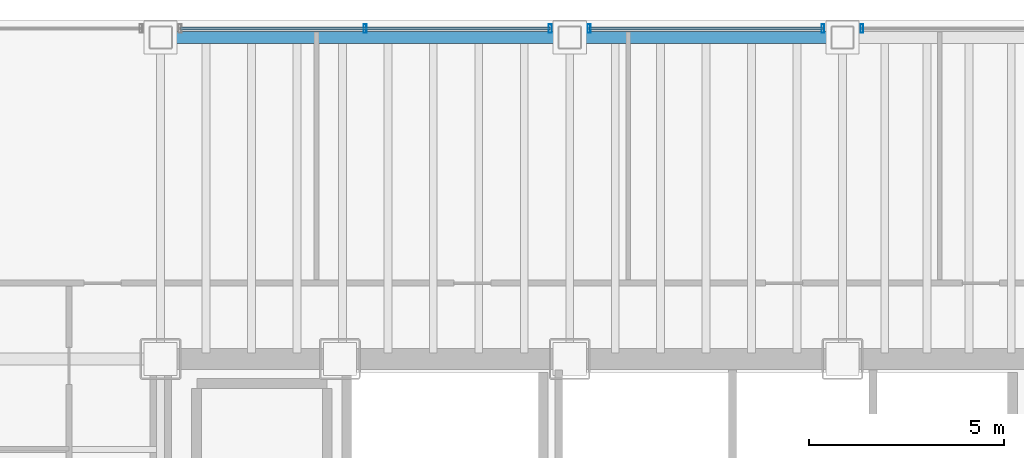
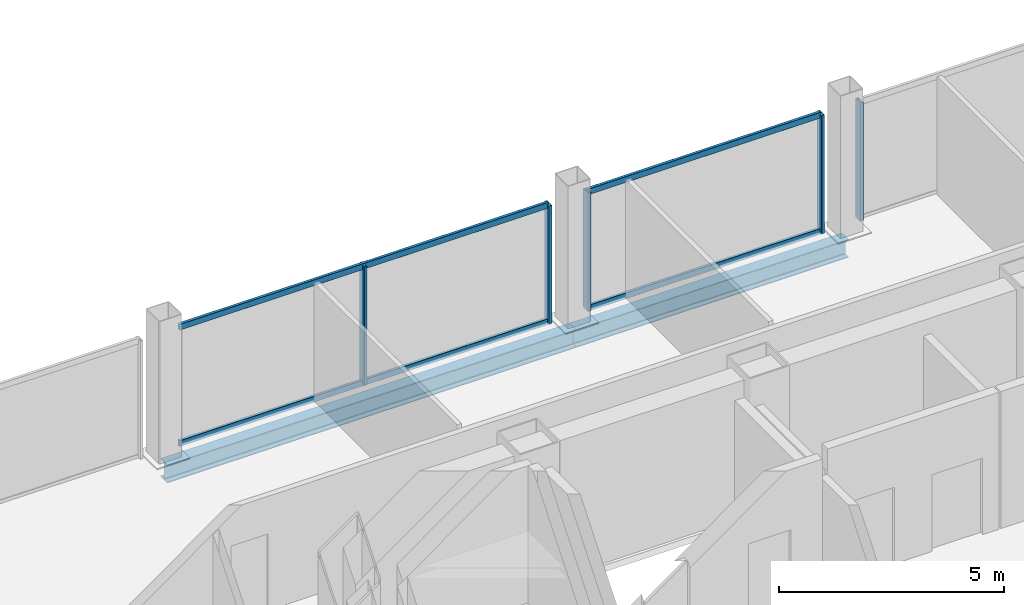
# One storey, part 15 of 21: 9 members, 2 beams, 3 elements without a shape of their own.
"""IFC4 building model written with IfcOpenShell, lengths in metres."""

from ifc_helpers import new_model, si_unit, direction, frame, origin, origin_2d, place, context, subcontext, project, spatial, hollow_rectangle, i_section, extrude, material, material_profile, profile_set, type_object, element, aggregate, save


model = new_model("IFC4")

# Units and contexts
model_context = context("Model", 3, precision=1e-05, world=origin(), true_north=direction((0.0, 1.0)))
body_context = subcontext(model_context, "Body", "Model", "MODEL_VIEW")
ifc_project = project(units=[si_unit("LENGTHUNIT", "METRE"), si_unit("AREAUNIT", "SQUARE_METRE"), si_unit("VOLUMEUNIT", "CUBIC_METRE"), si_unit("PLANEANGLEUNIT", "RADIAN"), si_unit("MASSUNIT", "GRAM", prefix="KILO")], contexts=[model_context])

# Site, building, storey
site_placement = place(None, origin())
site = spatial("IfcSite", under=ifc_project, at=site_placement, CompositionType="ELEMENT")
building_placement = place(site_placement, origin())
building = spatial("IfcBuilding", under=site, at=building_placement, Name="Noeulbin Bourse Tower", CompositionType="ELEMENT")
storey_placement = place(building_placement, frame((0.0, 0.0, 30.39990234375)))
storey = spatial("IfcBuildingStorey", under=building, at=storey_placement, Name="L07", CompositionType="ELEMENT", Elevation=30.39990234375)

# Beams
ifc_material_1 = material(Name="Steel S355", Category="steel")
ifc_material_profile_1 = material_profile(ifc_material_1, i_section(OverallWidth=0.300048828125, OverallDepth=0.488037109375, WebThickness=0.010986328125, FlangeThickness=0.01806640625, FilletRadius=0.02197265625, at=origin_2d()), Name="H-488x300x11x18", Category="LoadBearing")
ifc_profile_set_1 = profile_set([ifc_material_profile_1], Name="Steel S355")
beam_type = type_object("IfcBeamType", Name="BM-SPN-488", PredefinedType="SPANDREL", material=ifc_profile_set_1)
beam_1_placement = place(storey_placement, frame((13.5, 46.550048828125, -0.423828125), z_axis=(1.0, 0.0, 0.0), x_axis=(0.0, 1.0, 0.0)))
element("IfcBeam", 1, at=beam_1_placement, inside=storey, type_object=beam_type, Name="North Spandrel L07-1", PredefinedType="SPANDREL", context=body_context, shape_type="SweptSolid", body=[
    extrude(i_section(OverallWidth=0.300048828125, OverallDepth=0.488037109375, WebThickness=0.010986328125, FlangeThickness=0.01806640625, FilletRadius=0.02197265625, at=origin_2d()), origin(), (0.0, 0.0, 1.0), 10.5),
])
beam_2_placement = place(storey_placement, frame((24.0, 46.550048828125, -0.423828125), z_axis=(1.0, 0.0, 0.0), x_axis=(0.0, 1.0, 0.0)))
element("IfcBeam", 2, at=beam_2_placement, inside=storey, type_object=beam_type, Name="North Spandrel L07-2", PredefinedType="SPANDREL", context=body_context, shape_type="SweptSolid", body=[
    extrude(i_section(OverallWidth=0.300048828125, OverallDepth=0.488037109375, WebThickness=0.010986328125, FlangeThickness=0.01806640625, FilletRadius=0.02197265625, at=origin_2d()), origin(), (0.0, 0.0, 1.0), 7.0),
])

# Curtain wall, members
ifc_material_2 = material(Name="Dark Solar-Control Double Glazing", Category="glass")
curtain_wall_type = type_object("IfcCurtainWallType", Name="CW-SYS-2", PredefinedType="NOTDEFINED", material=ifc_material_2)
curtain_wall_1_placement = place(storey_placement, origin())
curtain_wall_1 = element("IfcCurtainWall", 3, at=curtain_wall_1_placement, inside=storey, type_object=curtain_wall_type, Name="Unitised Curtain Wall CW-L07-N-S2", PredefinedType="NOTDEFINED")
ifc_material_3 = material(Name="Anodised Aluminium 6063-T6", Category="aluminium")
ifc_material_profile_2 = material_profile(ifc_material_3, hollow_rectangle(XDim=0.074951171875, YDim=0.219970703125, WallThickness=0.0048828125, InnerFilletRadius=0.00244140625, OuterFilletRadius=0.0048828125, at=origin_2d()), Name="ALU-MULL-75x220x5", Category="LoadBearing")
ifc_profile_set_2 = profile_set([ifc_material_profile_2], Name="Anodised Aluminium 6063-T6")
member_type_1 = type_object("IfcMemberType", Name="CW-SYS-2-MUL", PredefinedType="MULLION", material=ifc_profile_set_2)
member_1_placement = place(storey_placement, frame((18.75, 46.780029296875, -0.02001953125), z_axis=(0.0, 0.0, 1.0), x_axis=(1.0, 0.0, 0.0)))
member_1 = element("IfcMember", 4, at=member_1_placement, type_object=member_type_1, Name="Curtain Wall Mullion CW-L07-N-S2-M01", PredefinedType="MULLION", context=body_context, shape_type="SweptSolid", body=[
    extrude(hollow_rectangle(XDim=0.074951171875, YDim=0.219970703125, WallThickness=0.0048828125, InnerFilletRadius=0.00244140625, OuterFilletRadius=0.0048828125, at=origin_2d()), origin(), (0.0, 0.0, 1.0), 3.22021484375),
])
member_2_placement = place(storey_placement, frame((23.5, 46.780029296875, -0.02001953125), z_axis=(0.0, 0.0, 1.0), x_axis=(1.0, 0.0, 0.0)))
member_2 = element("IfcMember", 5, at=member_2_placement, type_object=member_type_1, Name="Curtain Wall Mullion CW-L07-N-S2-M02", PredefinedType="MULLION", context=body_context, shape_type="SweptSolid", body=[
    extrude(hollow_rectangle(XDim=0.074951171875, YDim=0.219970703125, WallThickness=0.0048828125, InnerFilletRadius=0.00244140625, OuterFilletRadius=0.0048828125, at=origin_2d()), origin(), (0.0, 0.0, 1.0), 3.22021484375),
])

curtain_wall_2_placement = place(storey_placement, origin())
curtain_wall_2 = element("IfcCurtainWall", 6, at=curtain_wall_2_placement, inside=storey, type_object=curtain_wall_type, Name="Unitised Curtain Wall CW-L07-N-S3", PredefinedType="NOTDEFINED")
member_3_placement = place(storey_placement, frame((24.5, 46.780029296875, -0.02001953125), z_axis=(0.0, 0.0, 1.0), x_axis=(1.0, 0.0, 0.0)))
member_3 = element("IfcMember", 7, at=member_3_placement, type_object=member_type_1, Name="Curtain Wall Mullion CW-L07-N-S3-M00", PredefinedType="MULLION", context=body_context, shape_type="SweptSolid", body=[
    extrude(hollow_rectangle(XDim=0.074951171875, YDim=0.219970703125, WallThickness=0.0048828125, InnerFilletRadius=0.00244140625, OuterFilletRadius=0.0048828125, at=origin_2d()), origin(), (0.0, 0.0, 1.0), 3.22021484375),
])
member_4_placement = place(storey_placement, frame((30.5, 46.780029296875, -0.02001953125), z_axis=(0.0, 0.0, 1.0), x_axis=(1.0, 0.0, 0.0)))
member_4 = element("IfcMember", 8, at=member_4_placement, type_object=member_type_1, Name="Curtain Wall Mullion CW-L07-N-S3-M01", PredefinedType="MULLION", context=body_context, shape_type="SweptSolid", body=[
    extrude(hollow_rectangle(XDim=0.074951171875, YDim=0.219970703125, WallThickness=0.0048828125, InnerFilletRadius=0.00244140625, OuterFilletRadius=0.0048828125, at=origin_2d()), origin(), (0.0, 0.0, 1.0), 3.22021484375),
])

# Curtain wall, member
curtain_wall_3_placement = place(storey_placement, origin())
curtain_wall_3 = element("IfcCurtainWall", 9, at=curtain_wall_3_placement, inside=storey, type_object=curtain_wall_type, Name="Unitised Curtain Wall CW-L07-N-S4", PredefinedType="NOTDEFINED")
member_5_placement = place(storey_placement, frame((31.5, 46.780029296875, -0.02001953125), z_axis=(0.0, 0.0, 1.0), x_axis=(1.0, 0.0, 0.0)))
member_5 = element("IfcMember", 10, at=member_5_placement, type_object=member_type_1, Name="Curtain Wall Mullion CW-L07-N-S4-M00", PredefinedType="MULLION", context=body_context, shape_type="SweptSolid", body=[
    extrude(hollow_rectangle(XDim=0.074951171875, YDim=0.219970703125, WallThickness=0.0048828125, InnerFilletRadius=0.00244140625, OuterFilletRadius=0.0048828125, at=origin_2d()), origin(), (0.0, 0.0, 1.0), 3.22021484375),
])
aggregate(curtain_wall_3, [member_5])

# Member
ifc_material_profile_3 = material_profile(ifc_material_3, hollow_rectangle(XDim=0.074951171875, YDim=0.159912109375, WallThickness=0.0048828125, InnerFilletRadius=0.00244140625, OuterFilletRadius=0.0048828125, at=origin_2d()), Name="ALU-TRAN-75x160x5", Category="LoadBearing")
ifc_profile_set_3 = profile_set([ifc_material_profile_3], Name="Anodised Aluminium 6063-T6")
member_type_2 = type_object("IfcMemberType", Name="CW-SYS-2-TRN", PredefinedType="USERDEFINED", material=ifc_profile_set_3)
member_6_placement = place(storey_placement, frame((14.010009765625, 46.780029296875, 0.010009765625), z_axis=(1.0, 0.0, 0.0), x_axis=(0.0, 1.0, 0.0)))
member_6 = element("IfcMember", 11, at=member_6_placement, type_object=member_type_2, Name="Curtain Wall Transom CW-L07-N-S2-T00", ObjectType="TRANSOM", PredefinedType="USERDEFINED", context=body_context, shape_type="SweptSolid", body=[
    extrude(hollow_rectangle(XDim=0.074951171875, YDim=0.159912109375, WallThickness=0.0048828125, InnerFilletRadius=0.00244140625, OuterFilletRadius=0.0048828125, at=origin_2d()), origin(), (0.0, 0.0, 1.0), 9.47998046875),
])

member_7_placement = place(storey_placement, frame((14.010009765625, 46.780029296875, 3.170166015625), z_axis=(1.0, 0.0, 0.0), x_axis=(0.0, 1.0, 0.0)))
member_7 = element("IfcMember", 12, at=member_7_placement, type_object=member_type_2, Name="Curtain Wall Transom CW-L07-N-S2-T01", ObjectType="TRANSOM", PredefinedType="USERDEFINED", context=body_context, shape_type="SweptSolid", body=[
    extrude(hollow_rectangle(XDim=0.074951171875, YDim=0.159912109375, WallThickness=0.0048828125, InnerFilletRadius=0.00244140625, OuterFilletRadius=0.0048828125, at=origin_2d()), origin(), (0.0, 0.0, 1.0), 9.47998046875),
])

aggregate(curtain_wall_1, [member_1, member_2, member_6, member_7])

member_8_placement = place(storey_placement, frame((24.510009765625, 46.780029296875, 0.010009765625), z_axis=(1.0, 0.0, 0.0), x_axis=(0.0, 1.0, 0.0)))
member_8 = element("IfcMember", 13, at=member_8_placement, type_object=member_type_2, Name="Curtain Wall Transom CW-L07-N-S3-T00", ObjectType="TRANSOM", PredefinedType="USERDEFINED", context=body_context, shape_type="SweptSolid", body=[
    extrude(hollow_rectangle(XDim=0.074951171875, YDim=0.159912109375, WallThickness=0.0048828125, InnerFilletRadius=0.00244140625, OuterFilletRadius=0.0048828125, at=origin_2d()), origin(), (0.0, 0.0, 1.0), 5.97998046875),
])

member_9_placement = place(storey_placement, frame((24.510009765625, 46.780029296875, 3.170166015625), z_axis=(1.0, 0.0, 0.0), x_axis=(0.0, 1.0, 0.0)))
member_9 = element("IfcMember", 14, at=member_9_placement, type_object=member_type_2, Name="Curtain Wall Transom CW-L07-N-S3-T01", ObjectType="TRANSOM", PredefinedType="USERDEFINED", context=body_context, shape_type="SweptSolid", body=[
    extrude(hollow_rectangle(XDim=0.074951171875, YDim=0.159912109375, WallThickness=0.0048828125, InnerFilletRadius=0.00244140625, OuterFilletRadius=0.0048828125, at=origin_2d()), origin(), (0.0, 0.0, 1.0), 5.97998046875),
])

aggregate(curtain_wall_2, [member_3, member_4, member_8, member_9])

save(model, "model.ifc")
